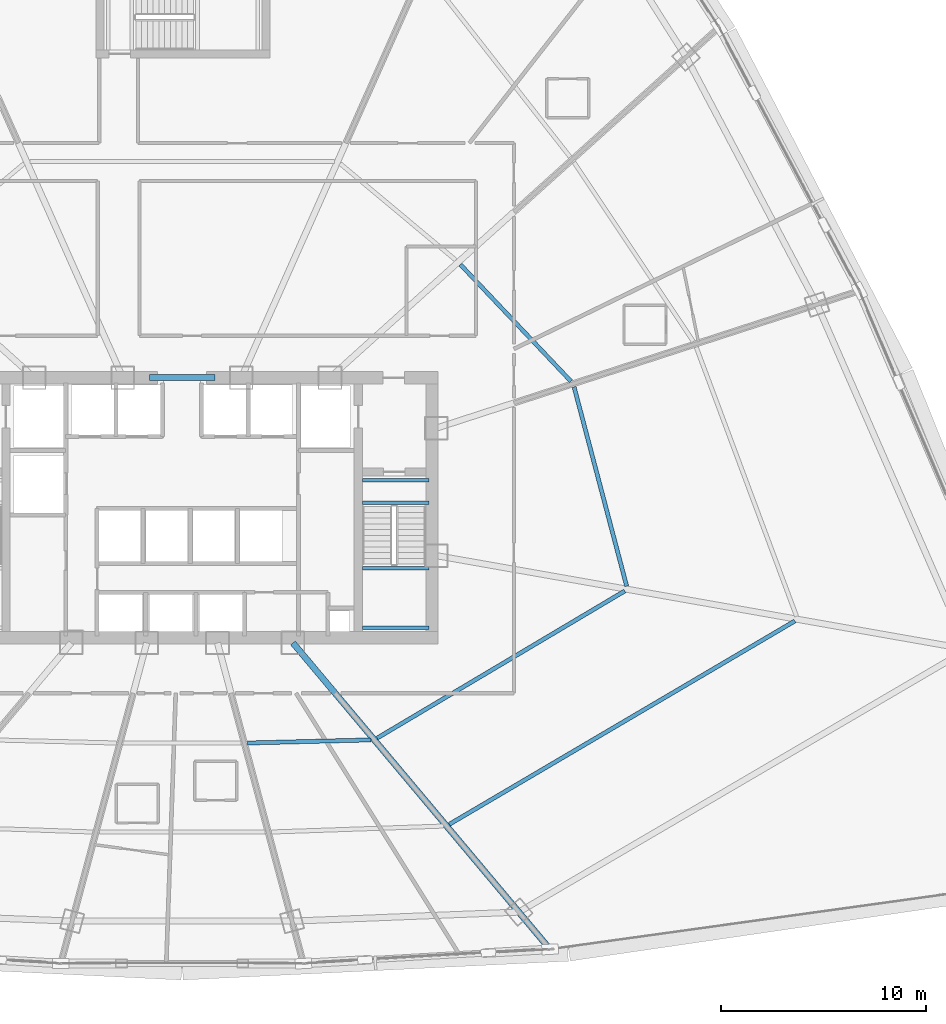
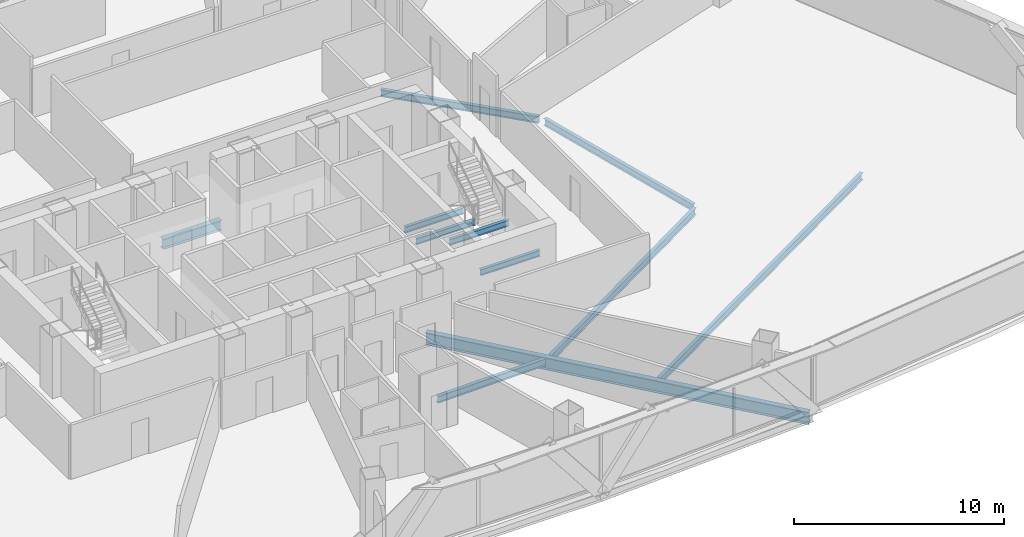
# One storey, part 13 of 38: 11 beams.
"""IFC4 building model written with IfcOpenShell, lengths in metres."""

from ifc_helpers import new_model, si_unit, direction, frame, origin, origin_2d, place, context, subcontext, project, spatial, i_section, extrude, source, transform, mapped, material, material_profile, profile_set, type_object, element, save


model = new_model("IFC4")

# Units and contexts
model_context = context("Model", 3, precision=1e-05, world=origin(), true_north=direction((0.0, 1.0)))
body_context = subcontext(model_context, "Body", "Model", "MODEL_VIEW")
ifc_project = project(units=[si_unit("LENGTHUNIT", "METRE"), si_unit("AREAUNIT", "SQUARE_METRE"), si_unit("VOLUMEUNIT", "CUBIC_METRE"), si_unit("PLANEANGLEUNIT", "RADIAN"), si_unit("MASSUNIT", "GRAM", prefix="KILO"), si_unit("THERMODYNAMICTEMPERATUREUNIT", "KELVIN"), si_unit("POWERUNIT", "WATT")], contexts=[model_context])

# Site, building, storey
site_placement = place(None, origin())
site = spatial("IfcSite", under=ifc_project, at=site_placement, CompositionType="ELEMENT")
building_placement = place(site_placement, origin())
building = spatial("IfcBuilding", under=site, at=building_placement, Name="Yunzhuo Pagoda Commons", CompositionType="ELEMENT")
storey_placement = place(building_placement, frame((0.0, 0.0, 81.179931640625)))
storey = spatial("IfcBuildingStorey", under=building, at=storey_placement, Name="L20", CompositionType="ELEMENT", Elevation=81.179931640625)

# Beams
ifc_material_1 = material(Name="Structural steel Q355B", Category="steel")
ifc_material_profile_1 = material_profile(ifc_material_1, i_section(OverallWidth=0.175048828125, OverallDepth=0.35009765625, WebThickness=0.007080078125, FlangeThickness=0.010986328125, at=origin_2d()), Name="Structural steel Q355B")
ifc_profile_set_1 = profile_set([ifc_material_profile_1], Name="Structural steel Q355B")
beam_type_1 = type_object("IfcBeamType", Name="B-JS2 Joist HN 350x175x7x11", PredefinedType="JOIST", material=ifc_profile_set_1)
shared_shape_1 = source(origin(), body_context, "Body", "SweptSolid", [
    extrude(i_section(OverallWidth=0.175048828125, OverallDepth=0.35009765625, WebThickness=0.007080078125, FlangeThickness=0.010986328125, at=origin_2d()), origin(), (0.0, 0.0, 1.0), 3.25),
])
for number, where, z_axis, x_axis, name in (
    (1, (56.800048828125, 28.0, 1.525146484375), (1.0, 0.0, 0.0), (0.0, 1.0, 0.0), "L20 ST2 landing support beam 26A"),
    (2, (56.800048828125, 30.89990234375, 1.525146484375), (1.0, 0.0, 0.0), (0.0, 1.0, 0.0), "L20 ST2 landing support beam 26B"),
    (3, (56.800048828125, 34.10009765625, -0.375), (1.0, 0.0, 0.0), (0.0, 1.0, 0.0), "L20 ST2 landing support beam 124A"),
    (4, (56.800048828125, 35.199951171875, -0.375), (1.0, 0.0, 0.0), (0.0, 1.0, 0.0), "L20 ST2 landing support beam 124B"),
):
    element("IfcBeam", number, at=place(storey_placement, frame(where, z_axis=z_axis, x_axis=x_axis)), inside=storey, type_object=beam_type_1, Name=name, PredefinedType="JOIST", context=body_context, shape_type="MappedRepresentation", body=[
        mapped(shared_shape_1, transform((0.0, 0.0, 0.0), scale=1.0)),
    ])
ifc_material_2 = material(Name="Structural steel Q420B", Category="steel")
ifc_material_profile_2 = material_profile(ifc_material_2, i_section(OverallWidth=0.300048828125, OverallDepth=0.587890625, WebThickness=0.011962890625, FlangeThickness=0.02001953125, at=origin_2d()), Name="Structural steel Q420B")
ifc_profile_set_2 = profile_set([ifc_material_profile_2], Name="Structural steel Q420B")
beam_type_2 = type_object("IfcBeamType", Name="B-CPL Beam HM 588x300x12x20", PredefinedType="BEAM", material=ifc_profile_set_2)
shared_shape_2 = source(origin(), body_context, "Body", "SweptSolid", [
    extrude(i_section(OverallWidth=0.300048828125, OverallDepth=0.587890625, WebThickness=0.011962890625, FlangeThickness=0.02001953125, at=origin_2d()), origin(), (0.0, 0.0, 1.0), 3.2001953125),
])
beam_1_placement = place(storey_placement, frame((46.39990234375, 40.199951171875, -0.553955078125), z_axis=(1.0, 0.0, 0.0), x_axis=(0.0, 1.0, 0.0)))
element("IfcBeam", 5, at=beam_1_placement, inside=storey, type_object=beam_type_2, Name="L20 core coupling girder", PredefinedType="BEAM", context=body_context, shape_type="MappedRepresentation", body=[
    mapped(shared_shape_2, transform((0.0, 0.0, 0.0), scale=1.0)),
])
ifc_material_profile_3 = material_profile(ifc_material_1, i_section(OverallWidth=0.300048828125, OverallDepth=0.699951171875, WebThickness=0.012939453125, FlangeThickness=0.02392578125, at=origin_2d()), Name="Structural steel Q355B")
ifc_profile_set_3 = profile_set([ifc_material_profile_3], Name="Structural steel Q355B")
beam_type_3 = type_object("IfcBeamType", Name="B-RG1 Beam HN 700x300x13x24", PredefinedType="BEAM", material=ifc_profile_set_3)
shared_shape_3 = source(origin(), body_context, "Body", "SweptSolid", [
    extrude(i_section(OverallWidth=0.300048828125, OverallDepth=0.699951171875, WebThickness=0.012939453125, FlangeThickness=0.02392578125, at=origin_2d()), origin(), (0.0, 0.0, 1.0), 19.369140625),
])
beam_2_placement = place(storey_placement, frame((65.862548828125, 12.41259765625, -0.60986328125), z_axis=(-0.642799141194, 0.766034766887, 0.0), x_axis=(-0.766034766887, -0.642799141194, 0.0)))
element("IfcBeam", 6, at=beam_2_placement, inside=storey, type_object=beam_type_3, Name="L20 radial floor girder F1C4", PredefinedType="BEAM", context=body_context, shape_type="MappedRepresentation", body=[
    mapped(shared_shape_3, transform((0.0, 0.0, 0.0), scale=1.0)),
])
ifc_material_profile_4 = material_profile(ifc_material_1, i_section(OverallWidth=0.199951171875, OverallDepth=0.39990234375, WebThickness=0.008056640625, FlangeThickness=0.012939453125, at=origin_2d()), Name="Structural steel Q355B")
ifc_profile_set_4 = profile_set([ifc_material_profile_4], Name="Structural steel Q355B")
beam_type_4 = type_object("IfcBeamType", Name="B-JS1 Joist HN 400x200x8x13", PredefinedType="JOIST", material=ifc_profile_set_4)
shared_shape_4 = source(origin(), body_context, "Body", "SweptSolid", [
    extrude(i_section(OverallWidth=0.199951171875, OverallDepth=0.39990234375, WebThickness=0.008056640625, FlangeThickness=0.012939453125, at=origin_2d()), origin(), (0.0, 0.0, 1.0), 6.026611328125),
])
beam_3_placement = place(storey_placement, frame((51.197265625, 22.364501953125, -0.4599609375), z_axis=(0.99968248871, 0.025197654009, 0.0), x_axis=(-0.025197654009, 0.99968248871, 0.0)))
element("IfcBeam", 7, at=beam_3_placement, inside=storey, type_object=beam_type_4, Name="L20 composite ring joist 1.3", PredefinedType="JOIST", context=body_context, shape_type="MappedRepresentation", body=[
    mapped(shared_shape_4, transform((0.0, 0.0, 0.0), scale=1.0)),
])
shared_shape_5 = source(origin(), body_context, "Body", "SweptSolid", [
    extrude(i_section(OverallWidth=0.199951171875, OverallDepth=0.39990234375, WebThickness=0.008056640625, FlangeThickness=0.012939453125, at=origin_2d()), origin(), (0.0, 0.0, 1.0), 14.061767578125),
])
beam_4_placement = place(storey_placement, frame((57.517578125, 22.601806640625, -0.4599609375), z_axis=(0.859683443923, 0.510827149088, 0.0), x_axis=(-0.510827149088, 0.859683443923, 0.0)))
element("IfcBeam", 8, at=beam_4_placement, inside=storey, type_object=beam_type_4, Name="L20 composite ring joist 1.4", PredefinedType="JOIST", context=body_context, shape_type="MappedRepresentation", body=[
    mapped(shared_shape_5, transform((0.0, 0.0, 0.0), scale=1.0)),
])
shared_shape_6 = source(origin(), body_context, "Body", "SweptSolid", [
    extrude(i_section(OverallWidth=0.199951171875, OverallDepth=0.39990234375, WebThickness=0.008056640625, FlangeThickness=0.012939453125, at=origin_2d()), origin(), (0.0, 0.0, 1.0), 19.568603515625),
])
beam_5_placement = place(storey_placement, frame((61.04541015625, 18.39697265625, -0.4599609375), z_axis=(0.861862685393, 0.50714170754, 0.0), x_axis=(-0.50714170754, 0.861862685393, 0.0)))
element("IfcBeam", 9, at=beam_5_placement, inside=storey, type_object=beam_type_4, Name="L20 composite ring joist 2.4", PredefinedType="JOIST", context=body_context, shape_type="MappedRepresentation", body=[
    mapped(shared_shape_6, transform((0.0, 0.0, 0.0), scale=1.0)),
])
shared_shape_7 = source(origin(), body_context, "Body", "SweptSolid", [
    extrude(i_section(OverallWidth=0.199951171875, OverallDepth=0.39990234375, WebThickness=0.008056640625, FlangeThickness=0.012939453125, at=origin_2d()), origin(), (0.0, 0.0, 1.0), 10.0634765625),
])
beam_6_placement = place(storey_placement, frame((69.702392578125, 30.019775390625, -0.4599609375), z_axis=(-0.255289713136, 0.966864603948, 0.0), x_axis=(-0.966864603948, -0.255289713136, 0.0)))
element("IfcBeam", 10, at=beam_6_placement, inside=storey, type_object=beam_type_4, Name="L20 composite ring joist 1.5", PredefinedType="JOIST", context=body_context, shape_type="MappedRepresentation", body=[
    mapped(shared_shape_7, transform((0.0, 0.0, 0.0), scale=1.0)),
])
shared_shape_8 = source(origin(), body_context, "Body", "SweptSolid", [
    extrude(i_section(OverallWidth=0.199951171875, OverallDepth=0.39990234375, WebThickness=0.008056640625, FlangeThickness=0.012939453125, at=origin_2d()), origin(), (0.0, 0.0, 1.0), 7.85009765625),
])
beam_7_placement = place(storey_placement, frame((66.9833984375, 40.01904296875, -0.4599609375), z_axis=(-0.687513423145, 0.726171669095, 0.0), x_axis=(-0.726171669095, -0.687513423145, 0.0)))
element("IfcBeam", 11, at=beam_7_placement, inside=storey, type_object=beam_type_4, Name="L20 composite ring joist 1.6", PredefinedType="JOIST", context=body_context, shape_type="MappedRepresentation", body=[
    mapped(shared_shape_8, transform((0.0, 0.0, 0.0), scale=1.0)),
])

save(model, "model.ifc")
